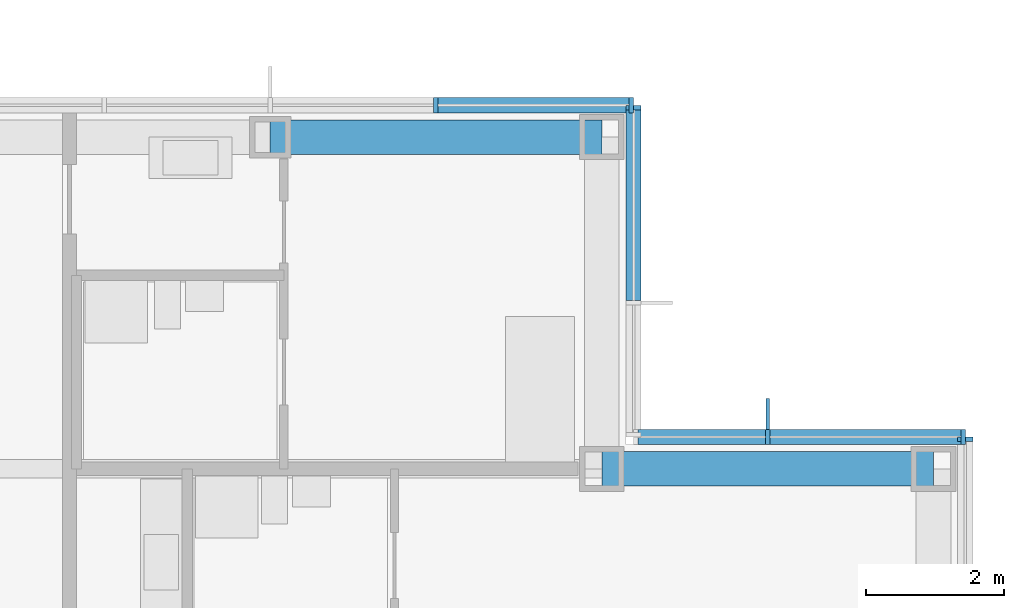
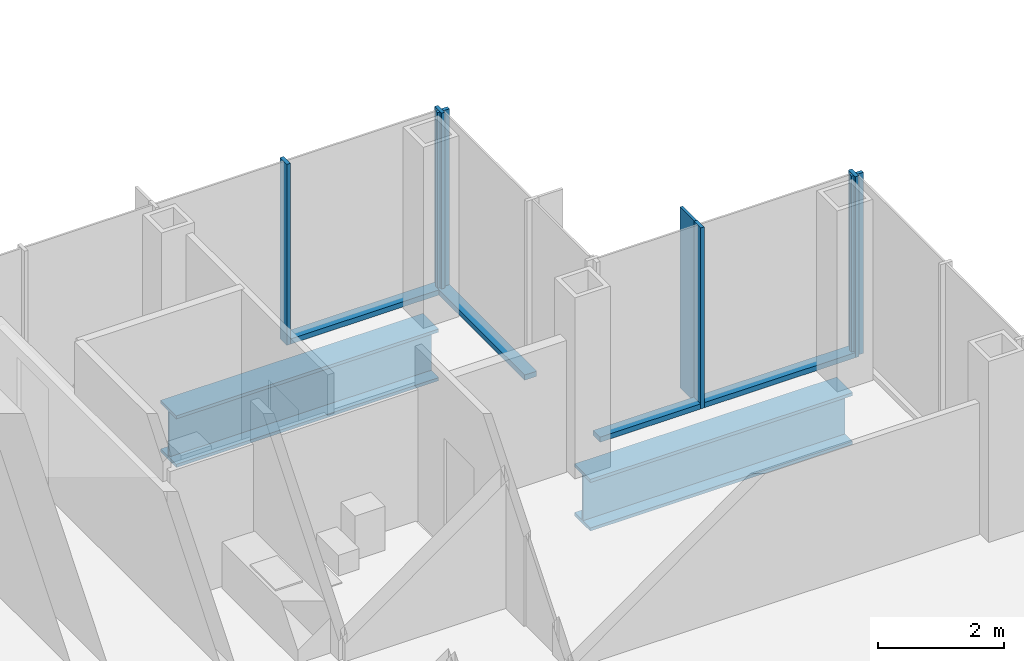
# One storey, part 9 of 20: 11 members, 2 beams, 4 elements without a shape of their own.
"""IFC4 building model written with IfcOpenShell, lengths in metres."""

from ifc_helpers import new_model, si_unit, direction, frame, origin, origin_2d, place, context, subcontext, project, spatial, rectangle, i_section, extrude, material, material_profile, profile_set, type_object, element, aggregate, save


model = new_model("IFC4")

# Units and contexts
model_context = context("Model", 3, precision=1e-05, world=origin(), true_north=direction((0.0, 1.0)))
body_context = subcontext(model_context, "Body", "Model", "MODEL_VIEW")
ifc_project = project(units=[si_unit("LENGTHUNIT", "METRE"), si_unit("AREAUNIT", "SQUARE_METRE"), si_unit("VOLUMEUNIT", "CUBIC_METRE"), si_unit("PLANEANGLEUNIT", "RADIAN"), si_unit("MASSUNIT", "GRAM", prefix="KILO")], contexts=[model_context])

# Site, building, storey
site_placement = place(None, origin())
site = spatial("IfcSite", under=ifc_project, at=site_placement, CompositionType="ELEMENT")
building_placement = place(site_placement, origin())
building = spatial("IfcBuilding", under=site, at=building_placement, Name="Kvirike Care Tower", CompositionType="ELEMENT")
storey_placement = place(building_placement, frame((0.0, 0.0, 94.5)))
storey = spatial("IfcBuildingStorey", under=building, at=storey_placement, Name="L25", CompositionType="ELEMENT", Elevation=94.5)

# Curtain wall, member
ifc_material_1 = material(Name="Anodised aluminium stick system", Category="aluminium")
curtain_wall_type = type_object("IfcCurtainWallType", Name="CW-B STICK CURTAIN WALL", PredefinedType="NOTDEFINED", material=ifc_material_1)
curtain_wall_1_placement = place(storey_placement, origin())
curtain_wall_1 = element("IfcCurtainWall", 1, at=curtain_wall_1_placement, inside=storey, type_object=curtain_wall_type, Name="Curtain wall L25 face 2", PredefinedType="NOTDEFINED")
ifc_material_2 = material(Name="Bronze anodised aluminium fin", Category="aluminium")
ifc_material_profile_1 = material_profile(ifc_material_2, rectangle(XDim=0.050048828125, YDim=0.449951171875, at=origin_2d()), Name="BRONZE FIN 450")
ifc_profile_set_1 = profile_set([ifc_material_profile_1], Name="Bronze anodised aluminium fin")
member_type_1 = type_object("IfcMemberType", Name="BRONZE FIN 450", PredefinedType="USERDEFINED", material=ifc_profile_set_1)
member_1_placement = place(storey_placement, frame((40.800048828125, 39.195068359375, 0.0), z_axis=(0.0, 0.0, 1.0), x_axis=(-1.0, 0.0, 0.0)))
member_1 = element("IfcMember", 2, at=member_1_placement, type_object=member_type_1, Name="Bronze fin L25 face 2.2", ObjectType="FIN", PredefinedType="USERDEFINED", context=body_context, shape_type="SweptSolid", body=[
    extrude(rectangle(XDim=0.050048828125, YDim=0.449951171875, at=origin_2d()), origin(), (0.0, 0.0, 1.0), 3.5),
])

curtain_wall_2_placement = place(storey_placement, origin())
curtain_wall_2 = element("IfcCurtainWall", 3, at=curtain_wall_2_placement, inside=storey, type_object=curtain_wall_type, Name="Curtain wall L25 face 1", PredefinedType="NOTDEFINED")
ifc_material_3 = material(Name="Bronze anodised aluminium mullion", Category="aluminium")
ifc_material_profile_2 = material_profile(ifc_material_3, rectangle(XDim=0.06494140625, YDim=0.219970703125, at=origin_2d()), Name="CW-B MULLION 65x220")
ifc_profile_set_2 = profile_set([ifc_material_profile_2], Name="Bronze anodised aluminium mullion")
member_type_2 = type_object("IfcMemberType", Name="CW-B MULLION 65x220", PredefinedType="MULLION", material=ifc_profile_set_2)
member_2_placement = place(storey_placement, frame((43.659912109375, 38.827392578125, 0.0), z_axis=(0.0, 0.0, 1.0), x_axis=(0.0, 1.0, 0.0)))
member_2 = element("IfcMember", 4, at=member_2_placement, type_object=member_type_2, Name="CW-B mullion L25 face 1.9", PredefinedType="MULLION", context=body_context, shape_type="SweptSolid", body=[
    extrude(rectangle(XDim=0.06494140625, YDim=0.219970703125, at=origin_2d()), origin(), (0.0, 0.0, 1.0), 3.5),
])
aggregate(curtain_wall_2, [member_2])

# Member
member_3_placement = place(storey_placement, frame((43.62744140625, 38.860107421875, 0.0), z_axis=(0.0, 0.0, 1.0), x_axis=(-1.0, 0.0, 0.0)))
member_3 = element("IfcMember", 5, at=member_3_placement, type_object=member_type_2, Name="CW-B mullion L25 face 2.1", PredefinedType="MULLION", context=body_context, shape_type="SweptSolid", body=[
    extrude(rectangle(XDim=0.06494140625, YDim=0.219970703125, at=origin_2d()), origin(), (0.0, 0.0, 1.0), 3.5),
])

member_4_placement = place(storey_placement, frame((40.800048828125, 38.860107421875, 0.0), z_axis=(0.0, 0.0, 1.0), x_axis=(-1.0, 0.0, 0.0)))
member_4 = element("IfcMember", 6, at=member_4_placement, type_object=member_type_2, Name="CW-B mullion L25 face 2.2", PredefinedType="MULLION", context=body_context, shape_type="SweptSolid", body=[
    extrude(rectangle(XDim=0.06494140625, YDim=0.219970703125, at=origin_2d()), origin(), (0.0, 0.0, 1.0), 3.5),
])

# Curtain wall, member
curtain_wall_3_placement = place(storey_placement, origin())
curtain_wall_3 = element("IfcCurtainWall", 7, at=curtain_wall_3_placement, inside=storey, type_object=curtain_wall_type, Name="Curtain wall L25 face 3", PredefinedType="NOTDEFINED")
member_5_placement = place(storey_placement, frame((38.860107421875, 43.62744140625, 0.0), z_axis=(0.0, 0.0, 1.0), x_axis=(0.0, 1.0, 0.0)))
member_5 = element("IfcMember", 8, at=member_5_placement, type_object=member_type_2, Name="CW-B mullion L25 face 3.3", PredefinedType="MULLION", context=body_context, shape_type="SweptSolid", body=[
    extrude(rectangle(XDim=0.06494140625, YDim=0.219970703125, at=origin_2d()), origin(), (0.0, 0.0, 1.0), 3.5),
])

# Curtain wall, members
curtain_wall_4_placement = place(storey_placement, origin())
curtain_wall_4 = element("IfcCurtainWall", 9, at=curtain_wall_4_placement, inside=storey, type_object=curtain_wall_type, Name="Curtain wall L25 face 4", PredefinedType="NOTDEFINED")
member_6_placement = place(storey_placement, frame((38.827392578125, 43.659912109375, 0.0), z_axis=(0.0, 0.0, 1.0), x_axis=(-1.0, 0.0, 0.0)))
member_6 = element("IfcMember", 10, at=member_6_placement, type_object=member_type_2, Name="CW-B mullion L25 face 4.1", PredefinedType="MULLION", context=body_context, shape_type="SweptSolid", body=[
    extrude(rectangle(XDim=0.06494140625, YDim=0.219970703125, at=origin_2d()), origin(), (0.0, 0.0, 1.0), 3.5),
])
member_7_placement = place(storey_placement, frame((36.0, 43.659912109375, 0.0), z_axis=(0.0, 0.0, 1.0), x_axis=(-1.0, 0.0, 0.0)))
member_7 = element("IfcMember", 11, at=member_7_placement, type_object=member_type_2, Name="CW-B mullion L25 face 4.2", PredefinedType="MULLION", context=body_context, shape_type="SweptSolid", body=[
    extrude(rectangle(XDim=0.06494140625, YDim=0.219970703125, at=origin_2d()), origin(), (0.0, 0.0, 1.0), 3.5),
])

# Member
ifc_material_4 = material(Name="Bronze anodised aluminium transom", Category="aluminium")
ifc_material_profile_3 = material_profile(ifc_material_4, rectangle(XDim=0.219970703125, YDim=0.10009765625, at=origin_2d()), Name="CW-B TRANSOM 220x100")
ifc_profile_set_3 = profile_set([ifc_material_profile_3], Name="Bronze anodised aluminium transom")
member_type_3 = type_object("IfcMemberType", Name="CW-B TRANSOM 220x100", PredefinedType="USERDEFINED", material=ifc_profile_set_3)
member_8_placement = place(storey_placement, frame((43.594970703125, 38.860107421875, 0.050048828125), z_axis=(-1.0, 0.0, 0.0), x_axis=(0.0, -1.0, 0.0)))
member_8 = element("IfcMember", 12, at=member_8_placement, type_object=member_type_3, Name="CW-B sill transom L25 face 2.1", ObjectType="TRANSOM", PredefinedType="USERDEFINED", context=body_context, shape_type="SweptSolid", body=[
    extrude(rectangle(XDim=0.219970703125, YDim=0.10009765625, at=origin_2d()), origin(), (0.0, 0.0, 1.0), 2.762451171875),
])

member_9_placement = place(storey_placement, frame((40.767578125, 38.860107421875, 0.050048828125), z_axis=(-1.0, 0.0, 0.0), x_axis=(0.0, -1.0, 0.0)))
member_9 = element("IfcMember", 13, at=member_9_placement, type_object=member_type_3, Name="CW-B sill transom L25 face 2.2", ObjectType="TRANSOM", PredefinedType="USERDEFINED", context=body_context, shape_type="SweptSolid", body=[
    extrude(rectangle(XDim=0.219970703125, YDim=0.10009765625, at=origin_2d()), origin(), (0.0, 0.0, 1.0), 1.842529296875),
])

aggregate(curtain_wall_1, [member_3, member_4, member_1, member_8, member_9])

member_10_placement = place(storey_placement, frame((38.860107421875, 40.83251953125, 0.050048828125), z_axis=(0.0, 1.0, 0.0), x_axis=(-1.0, 0.0, 0.0)))
member_10 = element("IfcMember", 14, at=member_10_placement, type_object=member_type_3, Name="CW-B sill transom L25 face 3.2", ObjectType="TRANSOM", PredefinedType="USERDEFINED", context=body_context, shape_type="SweptSolid", body=[
    extrude(rectangle(XDim=0.219970703125, YDim=0.10009765625, at=origin_2d()), origin(), (0.0, 0.0, 1.0), 2.762451171875),
])

aggregate(curtain_wall_3, [member_5, member_10])

member_11_placement = place(storey_placement, frame((38.794921875, 43.659912109375, 0.050048828125), z_axis=(-1.0, 0.0, 0.0), x_axis=(0.0, -1.0, 0.0)))
member_11 = element("IfcMember", 15, at=member_11_placement, type_object=member_type_3, Name="CW-B sill transom L25 face 4.1", ObjectType="TRANSOM", PredefinedType="USERDEFINED", context=body_context, shape_type="SweptSolid", body=[
    extrude(rectangle(XDim=0.219970703125, YDim=0.10009765625, at=origin_2d()), origin(), (0.0, 0.0, 1.0), 2.762451171875),
])

aggregate(curtain_wall_4, [member_6, member_7, member_11])

# Beams
ifc_material_5 = material(Name="Steel S355", Category="steel")
ifc_material_profile_4 = material_profile(ifc_material_5, i_section(OverallWidth=0.5, OverallDepth=1.0, WebThickness=0.030029296875, FlangeThickness=0.06005859375, at=origin_2d()), Name="PG 1000x500x30x60")
ifc_profile_set_4 = profile_set([ifc_material_profile_4], Name="Steel S355")
beam_type = type_object("IfcBeamType", Name="SPANDREL PG 1000x500x30x60", PredefinedType="SPANDREL", material=ifc_profile_set_4)
beam_1_placement = place(storey_placement, frame((38.39990234375, 38.39990234375, -0.669921875), z_axis=(1.0, 0.0, 0.0), x_axis=(0.0, 1.0, 0.0)))
element("IfcBeam", 16, at=beam_1_placement, inside=storey, type_object=beam_type, Name="Spandrel J11-J12 L25", PredefinedType="SPANDREL", context=body_context, shape_type="SweptSolid", body=[
    extrude(i_section(OverallWidth=0.5, OverallDepth=1.0, WebThickness=0.030029296875, FlangeThickness=0.06005859375, at=origin_2d()), origin(), (0.0, 0.0, 1.0), 4.800048828125),
])
beam_2_placement = place(storey_placement, frame((33.60009765625, 43.199951171875, -0.669921875), z_axis=(1.0, 0.0, 0.0), x_axis=(0.0, 1.0, 0.0)))
element("IfcBeam", 17, at=beam_2_placement, inside=storey, type_object=beam_type, Name="Spandrel K10-K11 L25", PredefinedType="SPANDREL", context=body_context, shape_type="SweptSolid", body=[
    extrude(i_section(OverallWidth=0.5, OverallDepth=1.0, WebThickness=0.030029296875, FlangeThickness=0.06005859375, at=origin_2d()), origin(), (0.0, 0.0, 1.0), 4.7998046875),
])

save(model, "model.ifc")
